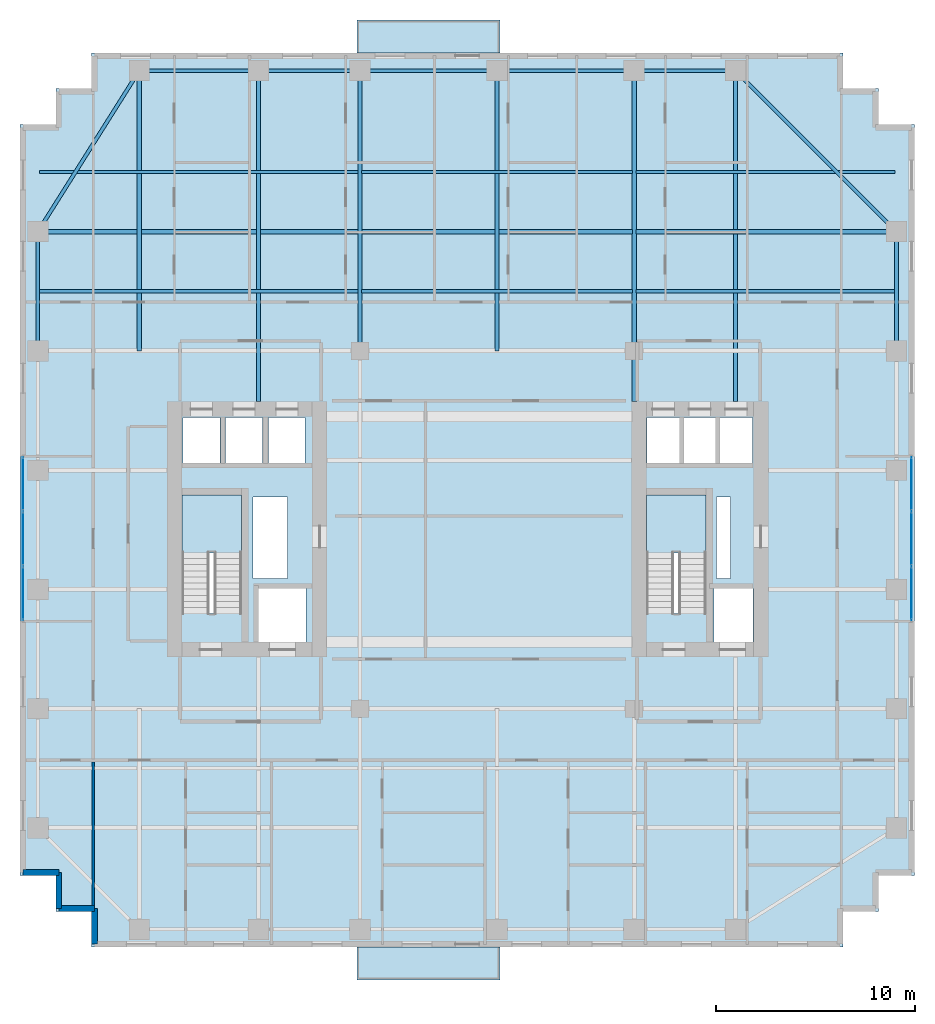
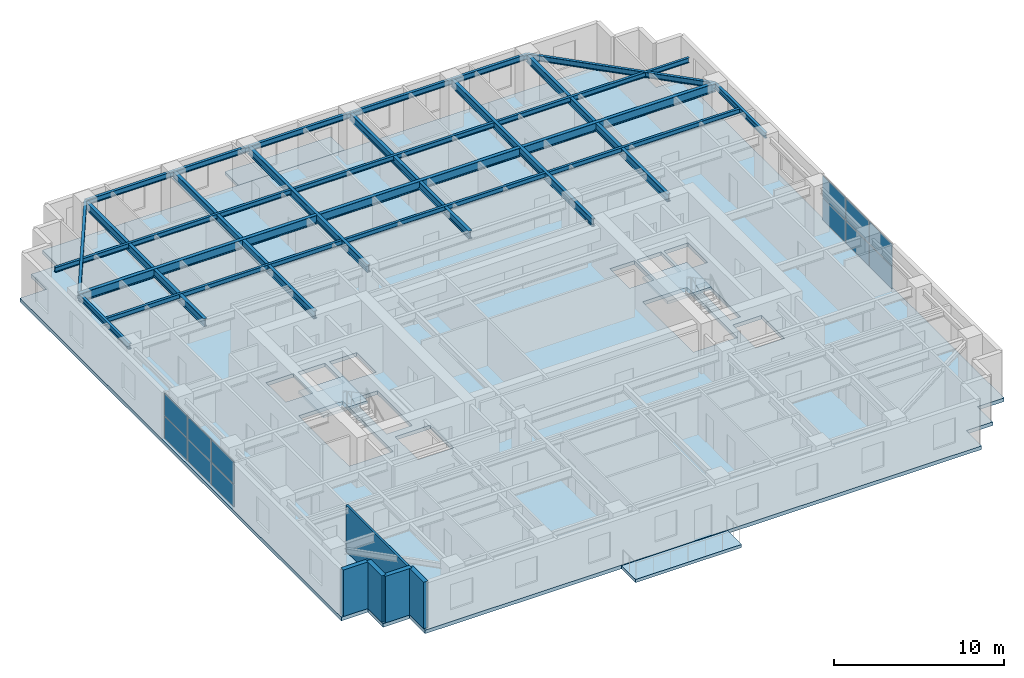
# One storey, part 7 of 15: 24 beams, 12 plates, 5 slabs, 5 walls, 4 elements without a shape of their own.
"""IFC4 building model written with IfcOpenShell, lengths in metres."""

from ifc_helpers import new_model, si_unit, direction, frame, frame_2d, origin, origin_2d, place, context, subcontext, project, spatial, polyline, rectangle, i_section, outline, extrude, source, transform, mapped, material, layer, layer_set, material_profile, profile_set, type_object, element, aggregate, save


model = new_model("IFC4")

# Units and contexts
model_context = context("Model", 3, precision=1e-05, world=origin(), true_north=direction((0.0, 1.0)))
body_context = subcontext(model_context, "Body", "Model", "MODEL_VIEW")
ifc_project = project(units=[si_unit("LENGTHUNIT", "METRE"), si_unit("AREAUNIT", "SQUARE_METRE"), si_unit("VOLUMEUNIT", "CUBIC_METRE"), si_unit("PLANEANGLEUNIT", "RADIAN"), si_unit("MASSUNIT", "GRAM", prefix="KILO")], contexts=[model_context])

# Site, building, storey
site_placement = place(None, origin())
site = spatial("IfcSite", under=ifc_project, at=site_placement, CompositionType="ELEMENT")
building_placement = place(site_placement, origin())
building = spatial("IfcBuilding", under=site, at=building_placement, Name="Khoralis Quay Care Tower", CompositionType="ELEMENT")
storey_placement = place(building_placement, frame((0.0, 0.0, 123.300048828125)))
storey = spatial("IfcBuildingStorey", under=building, at=storey_placement, Name="L32", CompositionType="ELEMENT", Elevation=123.300048828125)

# Beams
ifc_material_1 = material(Name="Steel S355", Category="steel")
ifc_material_profile_1 = material_profile(ifc_material_1, i_section(OverallWidth=0.179931640625, OverallDepth=0.39990234375, WebThickness=0.008544921875, FlangeThickness=0.013427734375, FilletRadius=0.02099609375, at=origin_2d()), Name="Steel S355")
ifc_profile_set_1 = profile_set([ifc_material_profile_1], Name="Steel S355")
beam_type_1 = type_object("IfcBeamType", Name="BM-IPE400", PredefinedType="SPANDREL", material=ifc_profile_set_1)
shared_shape_1 = source(origin(), body_context, "Body", "SweptSolid", [
    extrude(i_section(OverallWidth=0.179931640625, OverallDepth=0.39990234375, WebThickness=0.008544921875, FlangeThickness=0.013427734375, FilletRadius=0.02099609375, at=origin_2d()), origin(), (0.0, 0.0, 1.0), 6.0),
])
for number, where, z_axis, x_axis, name in (
    (1, (6.0, 44.10009765625, 3.139892578125), (1.0, 0.0, 0.0), (0.0, 1.0, 0.0), "BM-TSP-L32-06"),
    (2, (0.89990234375, 30.0, 3.139892578125), (0.0, 1.0, 0.0), (-1.0, 0.0, 0.0), "BM-TSP-L32-15"),
    (3, (44.10009765625, 30.0, 3.139892578125), (0.0, 1.0, 0.0), (-1.0, 0.0, 0.0), "BM-TSP-L32-20"),
):
    element("IfcBeam", number, at=place(storey_placement, frame(where, z_axis=z_axis, x_axis=x_axis)), inside=storey, type_object=beam_type_1, Name=name, PredefinedType="SPANDREL", context=body_context, shape_type="MappedRepresentation", body=[
        mapped(shared_shape_1, transform((0.0, 0.0, 0.0), scale=1.0)),
    ])
shared_shape_2 = source(origin(), body_context, "Body", "SweptSolid", [
    extrude(i_section(OverallWidth=0.179931640625, OverallDepth=0.39990234375, WebThickness=0.008544921875, FlangeThickness=0.013427734375, FilletRadius=0.02099609375, at=origin_2d()), origin(), (0.0, 0.0, 1.0), 5.10009765625),
])
for number, where, z_axis, x_axis, name in (
    (4, (12.0, 44.10009765625, 3.139892578125), (1.0, 0.0, 0.0), (0.0, 1.0, 0.0), "BM-TSP-L32-07"),
    (5, (30.89990234375, 44.10009765625, 3.139892578125), (1.0, 0.0, 0.0), (0.0, 1.0, 0.0), "BM-TSP-L32-10"),
):
    element("IfcBeam", number, at=place(storey_placement, frame(where, z_axis=z_axis, x_axis=x_axis)), inside=storey, type_object=beam_type_1, Name=name, PredefinedType="SPANDREL", context=body_context, shape_type="MappedRepresentation", body=[
        mapped(shared_shape_2, transform((0.0, 0.0, 0.0), scale=1.0)),
    ])
shared_shape_3 = source(origin(), body_context, "Body", "SweptSolid", [
    extrude(i_section(OverallWidth=0.179931640625, OverallDepth=0.39990234375, WebThickness=0.008544921875, FlangeThickness=0.013427734375, FilletRadius=0.02099609375, at=origin_2d()), origin(), (0.0, 0.0, 1.0), 6.89990234375),
])
for number, where, z_axis, x_axis, name in (
    (6, (17.10009765625, 44.10009765625, 3.139892578125), (1.0, 0.0, 0.0), (0.0, 1.0, 0.0), "BM-TSP-L32-08"),
    (7, (24.0, 44.10009765625, 3.139892578125), (1.0, 0.0, 0.0), (0.0, 1.0, 0.0), "BM-TSP-L32-09"),
):
    element("IfcBeam", number, at=place(storey_placement, frame(where, z_axis=z_axis, x_axis=x_axis)), inside=storey, type_object=beam_type_1, Name=name, PredefinedType="SPANDREL", context=body_context, shape_type="MappedRepresentation", body=[
        mapped(shared_shape_3, transform((0.0, 0.0, 0.0), scale=1.0)),
    ])
shared_shape_4 = source(origin(), body_context, "Body", "SweptSolid", [
    extrude(i_section(OverallWidth=0.179931640625, OverallDepth=0.39990234375, WebThickness=0.008544921875, FlangeThickness=0.013427734375, FilletRadius=0.02099609375, at=origin_2d()), origin(), (0.0, 0.0, 1.0), 9.572021484375),
])
beam_1_placement = place(storey_placement, frame((6.0, 44.10009765625, 3.139892578125), z_axis=(-0.532815975602, -0.846231136359, 0.0), x_axis=(0.846231136359, -0.532815975602, 0.0)))
element("IfcBeam", 8, at=beam_1_placement, inside=storey, type_object=beam_type_1, Name="BM-TCR-L32-23", PredefinedType="SPANDREL", context=body_context, shape_type="MappedRepresentation", body=[
    mapped(shared_shape_4, transform((0.0, 0.0, 0.0), scale=1.0)),
])
shared_shape_5 = source(origin(), body_context, "Body", "SweptSolid", [
    extrude(i_section(OverallWidth=0.179931640625, OverallDepth=0.39990234375, WebThickness=0.008544921875, FlangeThickness=0.013427734375, FilletRadius=0.02099609375, at=origin_2d()), origin(), (0.0, 0.0, 1.0), 11.455322265625),
])
beam_2_placement = place(storey_placement, frame((36.0, 44.10009765625, 3.139892578125), z_axis=(0.707106781187, -0.707106781187, 0.0), x_axis=(0.707106781187, 0.707106781187, 0.0)))
element("IfcBeam", 9, at=beam_2_placement, inside=storey, type_object=beam_type_1, Name="BM-TCR-L32-24", PredefinedType="SPANDREL", context=body_context, shape_type="MappedRepresentation", body=[
    mapped(shared_shape_5, transform((0.0, 0.0, 0.0), scale=1.0)),
])
ifc_material_profile_2 = material_profile(ifc_material_1, i_section(OverallWidth=0.22998046875, OverallDepth=0.616943359375, WebThickness=0.01318359375, FlangeThickness=0.022216796875, FilletRadius=0.01806640625, at=origin_2d()), Name="Steel S355")
ifc_profile_set_2 = profile_set([ifc_material_profile_2], Name="Steel S355")
beam_type_2 = type_object("IfcBeamType", Name="BM-W610X140", PredefinedType="BEAM", material=ifc_profile_set_2)
shared_shape_6 = source(origin(), body_context, "Body", "SweptSolid", [
    extrude(i_section(OverallWidth=0.22998046875, OverallDepth=0.616943359375, WebThickness=0.01318359375, FlangeThickness=0.022216796875, FilletRadius=0.01806640625, at=origin_2d()), origin(), (0.0, 0.0, 1.0), 16.106201171875),
])
beam_3_placement = place(storey_placement, frame((0.89990234375, 36.0, 3.031494140625), z_axis=(1.0, 0.0, 0.0), x_axis=(0.0, 1.0, 0.0)))
element("IfcBeam", 10, at=beam_3_placement, inside=storey, type_object=beam_type_2, Name="BM-TGXW-L32-360", PredefinedType="BEAM", context=body_context, shape_type="MappedRepresentation", body=[
    mapped(shared_shape_6, transform((0.0, 0.0, 0.0), scale=1.0)),
])
shared_shape_7 = source(origin(), body_context, "Body", "SweptSolid", [
    extrude(i_section(OverallWidth=0.22998046875, OverallDepth=0.616943359375, WebThickness=0.01318359375, FlangeThickness=0.022216796875, FilletRadius=0.01806640625, at=origin_2d()), origin(), (0.0, 0.0, 1.0), 13.106201171875),
])
beam_4_placement = place(storey_placement, frame((30.993896484375, 36.0, 3.031494140625), z_axis=(1.0, 0.0, 0.0), x_axis=(0.0, 1.0, 0.0)))
element("IfcBeam", 11, at=beam_4_placement, inside=storey, type_object=beam_type_2, Name="BM-TGXE-L32-360", PredefinedType="BEAM", context=body_context, shape_type="MappedRepresentation", body=[
    mapped(shared_shape_7, transform((0.0, 0.0, 0.0), scale=1.0)),
])
shared_shape_8 = source(origin(), body_context, "Body", "SweptSolid", [
    extrude(i_section(OverallWidth=0.22998046875, OverallDepth=0.616943359375, WebThickness=0.01318359375, FlangeThickness=0.022216796875, FilletRadius=0.01806640625, at=origin_2d()), origin(), (0.0, 0.0, 1.0), 13.61181640625),
])
beam_5_placement = place(storey_placement, frame((17.194091796875, 36.0, 3.031494140625), z_axis=(1.0, 0.0, 0.0), x_axis=(0.0, 1.0, 0.0)))
element("IfcBeam", 12, at=beam_5_placement, inside=storey, type_object=beam_type_2, Name="BM-TGCC-L32-360", PredefinedType="BEAM", context=body_context, shape_type="MappedRepresentation", body=[
    mapped(shared_shape_8, transform((0.0, 0.0, 0.0), scale=1.0)),
])
ifc_material_profile_3 = material_profile(ifc_material_1, i_section(OverallWidth=0.2119140625, OverallDepth=0.5439453125, WebThickness=0.01318359375, FlangeThickness=0.021240234375, FilletRadius=0.01611328125, at=origin_2d()), Name="Steel S355")
ifc_profile_set_3 = profile_set([ifc_material_profile_3], Name="Steel S355")
beam_type_3 = type_object("IfcBeamType", Name="BM-W530X123", PredefinedType="BEAM", material=ifc_profile_set_3)
shared_shape_9 = source(origin(), body_context, "Body", "SweptSolid", [
    extrude(i_section(OverallWidth=0.2119140625, OverallDepth=0.5439453125, WebThickness=0.01318359375, FlangeThickness=0.021240234375, FilletRadius=0.01611328125, at=origin_2d()), origin(), (0.0, 0.0, 1.0), 14.10009765625),
])
for number, where, z_axis, x_axis, name in (
    (13, (6.0, 30.0, 3.06787109375), (0.0, 1.0, 0.0), (-1.0, 0.0, 0.0), "BM-TGYN-L32-60"),
    (14, (17.10009765625, 30.0, 3.06787109375), (0.0, 1.0, 0.0), (-1.0, 0.0, 0.0), "BM-TGYN-L32-171"),
    (15, (24.0, 30.0, 3.06787109375), (0.0, 1.0, 0.0), (-1.0, 0.0, 0.0), "BM-TGYN-L32-240"),
):
    element("IfcBeam", number, at=place(storey_placement, frame(where, z_axis=z_axis, x_axis=x_axis)), inside=storey, type_object=beam_type_3, Name=name, PredefinedType="BEAM", context=body_context, shape_type="MappedRepresentation", body=[
        mapped(shared_shape_9, transform((0.0, 0.0, 0.0), scale=1.0)),
    ])
shared_shape_10 = source(origin(), body_context, "Body", "SweptSolid", [
    extrude(i_section(OverallWidth=0.2119140625, OverallDepth=0.5439453125, WebThickness=0.01318359375, FlangeThickness=0.021240234375, FilletRadius=0.01611328125, at=origin_2d()), origin(), (0.0, 0.0, 1.0), 16.652099609375),
])
for number, where, z_axis, x_axis, name in (
    (16, (12.0, 27.447998046875, 3.06787109375), (0.0, 1.0, 0.0), (-1.0, 0.0, 0.0), "BM-TGYN-L32-120"),
    (17, (30.89990234375, 27.447998046875, 3.06787109375), (0.0, 1.0, 0.0), (-1.0, 0.0, 0.0), "BM-TGYN-L32-309"),
    (18, (36.0, 27.447998046875, 3.06787109375), (0.0, 1.0, 0.0), (-1.0, 0.0, 0.0), "BM-TGYN-L32-360"),
):
    element("IfcBeam", number, at=place(storey_placement, frame(where, z_axis=z_axis, x_axis=x_axis)), inside=storey, type_object=beam_type_3, Name=name, PredefinedType="BEAM", context=body_context, shape_type="MappedRepresentation", body=[
        mapped(shared_shape_10, transform((0.0, 0.0, 0.0), scale=1.0)),
    ])
ifc_material_profile_4 = material_profile(ifc_material_1, i_section(OverallWidth=0.1708984375, OverallDepth=0.35498046875, WebThickness=0.007080078125, FlangeThickness=0.01171875, FilletRadius=0.012939453125, at=origin_2d()), Name="Steel S355")
ifc_profile_set_4 = profile_set([ifc_material_profile_4], Name="Steel S355")
beam_type_4 = type_object("IfcBeamType", Name="BM-W360X51", PredefinedType="JOIST", material=ifc_profile_set_4)
shared_shape_11 = source(origin(), body_context, "Body", "SweptSolid", [
    extrude(i_section(OverallWidth=0.1708984375, OverallDepth=0.35498046875, WebThickness=0.007080078125, FlangeThickness=0.01171875, FilletRadius=0.012939453125, at=origin_2d()), origin(), (0.0, 0.0, 1.0), 16.030029296875),
])
for number, where, z_axis, x_axis, name in (
    (19, (0.97607421875, 33.0, 3.162353515625), (1.0, 0.0, 0.0), (0.0, 1.0, 0.0), "BM-TJS-L32-28"),
    (20, (0.97607421875, 39.0, 3.162353515625), (1.0, 0.0, 0.0), (0.0, 1.0, 0.0), "BM-TJS-L32-31"),
):
    element("IfcBeam", number, at=place(storey_placement, frame(where, z_axis=z_axis, x_axis=x_axis)), inside=storey, type_object=beam_type_4, Name=name, PredefinedType="JOIST", context=body_context, shape_type="MappedRepresentation", body=[
        mapped(shared_shape_11, transform((0.0, 0.0, 0.0), scale=1.0)),
    ])
shared_shape_12 = source(origin(), body_context, "Body", "SweptSolid", [
    extrude(i_section(OverallWidth=0.1708984375, OverallDepth=0.35498046875, WebThickness=0.007080078125, FlangeThickness=0.01171875, FilletRadius=0.012939453125, at=origin_2d()), origin(), (0.0, 0.0, 1.0), 13.030029296875),
])
for number, where, z_axis, x_axis, name in (
    (21, (30.993896484375, 33.0, 3.162353515625), (1.0, 0.0, 0.0), (0.0, 1.0, 0.0), "BM-TJS-L32-29"),
    (22, (30.993896484375, 39.0, 3.162353515625), (1.0, 0.0, 0.0), (0.0, 1.0, 0.0), "BM-TJS-L32-32"),
):
    element("IfcBeam", number, at=place(storey_placement, frame(where, z_axis=z_axis, x_axis=x_axis)), inside=storey, type_object=beam_type_4, Name=name, PredefinedType="JOIST", context=body_context, shape_type="MappedRepresentation", body=[
        mapped(shared_shape_12, transform((0.0, 0.0, 0.0), scale=1.0)),
    ])
shared_shape_13 = source(origin(), body_context, "Body", "SweptSolid", [
    extrude(i_section(OverallWidth=0.1708984375, OverallDepth=0.35498046875, WebThickness=0.007080078125, FlangeThickness=0.01171875, FilletRadius=0.012939453125, at=origin_2d()), origin(), (0.0, 0.0, 1.0), 13.61181640625),
])
for number, where, z_axis, x_axis, name in (
    (23, (17.194091796875, 33.0, 3.162353515625), (1.0, 0.0, 0.0), (0.0, 1.0, 0.0), "BM-TJS-L32-30"),
    (24, (17.194091796875, 39.0, 3.162353515625), (1.0, 0.0, 0.0), (0.0, 1.0, 0.0), "BM-TJS-L32-33"),
):
    element("IfcBeam", number, at=place(storey_placement, frame(where, z_axis=z_axis, x_axis=x_axis)), inside=storey, type_object=beam_type_4, Name=name, PredefinedType="JOIST", context=body_context, shape_type="MappedRepresentation", body=[
        mapped(shared_shape_13, transform((0.0, 0.0, 0.0), scale=1.0)),
    ])

# Slabs
ifc_material_2 = material(Name="Concrete C45/55", Category="concrete")
ifc_layer_1 = layer(ifc_material_2, 0.219970703125)
ifc_layer_set_1 = layer_set([ifc_layer_1], Name="Concrete C45/55")
slab_type_1 = type_object("IfcSlabType", Name="SLB-EXT-BALC-220", PredefinedType="FLOOR", material=ifc_layer_set_1)
slab_1_placement = place(storey_placement, frame((0.0, 0.0, -0.260009765625)))
element("IfcSlab", 25, at=slab_1_placement, inside=storey, type_object=slab_type_1, Name="L32 Senior Loggia Balcony Slab P1E0", PredefinedType="FLOOR", context=body_context, shape_type="SweptSolid", body=[
    extrude(outline(polyline([(16.949951171875, -1.64990234375), (24.14990234375, -1.64990234375), (24.14990234375, 0.0), (16.949951171875, 0.0), (16.949951171875, -1.64990234375)])), origin(), (0.0, 0.0, 1.0), 0.219970703125),
])
slab_2_placement = place(storey_placement, frame((0.0, 0.0, -0.260009765625)))
element("IfcSlab", 26, at=slab_2_placement, inside=storey, type_object=slab_type_1, Name="L32 Senior Loggia Balcony Slab P1E10", PredefinedType="FLOOR", context=body_context, shape_type="SweptSolid", body=[
    extrude(outline(polyline([(16.949951171875, 45.0), (24.14990234375, 45.0), (24.14990234375, 46.64990234375), (16.949951171875, 46.64990234375), (16.949951171875, 45.0)])), origin(), (0.0, 0.0, 1.0), 0.219970703125),
])

# Stair, slab
ifc_material_3 = material(Name="Precast concrete C45/55", Category="concrete")
stair_type = type_object("IfcStairType", Name="ST-TWR-DOGLEG-1400", PredefinedType="HALF_TURN_STAIR", material=ifc_material_3)
stair_1_placement = place(storey_placement, origin())
stair_1 = element("IfcStair", 27, at=stair_1_placement, inside=storey, type_object=stair_type, Name="L32 West Core Exit Stair ST-T1", PredefinedType="HALF_TURN_STAIR")
ifc_layer_2 = layer(ifc_material_3, 0.199951171875)
ifc_layer_set_2 = layer_set([ifc_layer_2], Name="Precast concrete C45/55")
slab_type_2 = type_object("IfcSlabType", Name="SLB-LANDING-200", PredefinedType="LANDING", material=ifc_layer_set_2)
slab_3_placement = place(storey_placement, frame((0.0, 0.0, 1.599853515625)))
slab_3 = element("IfcSlab", 28, at=slab_3_placement, type_object=slab_type_2, Name="ST-T1 landing 1", PredefinedType="LANDING", context=body_context, shape_type="SweptSolid", body=[
    extrude(outline(polyline([(11.14990234375, 19.840087890625), (11.14990234375, 22.75), (8.14990234375, 22.75), (8.14990234375, 19.840087890625), (11.14990234375, 19.840087890625)])), origin(), (0.0, 0.0, 1.0), 0.2001953125),
])
aggregate(stair_1, [slab_3])

stair_2_placement = place(storey_placement, origin())
stair_2 = element("IfcStair", 29, at=stair_2_placement, inside=storey, type_object=stair_type, Name="L32 East Core Exit Stair ST-T2", PredefinedType="HALF_TURN_STAIR")
slab_4_placement = place(storey_placement, frame((0.0, 0.0, 1.599853515625)))
slab_4 = element("IfcSlab", 30, at=slab_4_placement, type_object=slab_type_2, Name="ST-T2 landing 1", PredefinedType="LANDING", context=body_context, shape_type="SweptSolid", body=[
    extrude(outline(polyline([(34.52001953125, 19.840087890625), (34.52001953125, 22.75), (31.52001953125, 22.75), (31.52001953125, 19.840087890625), (34.52001953125, 19.840087890625)])), origin(), (0.0, 0.0, 1.0), 0.2001953125),
])
aggregate(stair_2, [slab_4])

# Slab
ifc_material_4 = material(Name="Concrete C40/50", Category="concrete")
ifc_layer_3 = layer(ifc_material_4, 0.260009765625)
ifc_layer_set_3 = layer_set([ifc_layer_3], Name="Concrete C40/50")
slab_type_3 = type_object("IfcSlabType", Name="SLB-TWR-260", PredefinedType="FLOOR", material=ifc_layer_set_3)
slab_5_placement = place(storey_placement, frame((0.0, 0.0, -0.260009765625)))
element("IfcSlab", 31, at=slab_5_placement, inside=storey, type_object=slab_type_3, Name="Tower Floor Slab L32", PredefinedType="FLOOR", context=body_context, shape_type="SweptSolid", body=[
    extrude(outline(polyline([(3.60009765625, 0.0), (41.39990234375, 0.0), (41.39990234375, 1.800048828125), (43.199951171875, 1.800048828125), (43.199951171875, 3.60009765625), (45.0, 3.60009765625), (45.0, 41.39990234375), (43.199951171875, 41.39990234375), (43.199951171875, 43.199951171875), (41.39990234375, 43.199951171875), (41.39990234375, 45.0), (3.60009765625, 45.0), (3.60009765625, 43.199951171875), (1.800048828125, 43.199951171875), (1.800048828125, 41.39990234375), (0.0, 41.39990234375), (0.0, 3.60009765625), (1.800048828125, 3.60009765625), (1.800048828125, 1.800048828125), (3.60009765625, 1.800048828125), (3.60009765625, 0.0)]), holes=[polyline([(11.14990234375, 16.800048828125), (11.14990234375, 22.75), (8.14990234375, 22.75), (8.14990234375, 16.800048828125), (11.14990234375, 16.800048828125)]), polyline([(34.52001953125, 16.800048828125), (34.52001953125, 22.75), (31.52001953125, 22.75), (31.52001953125, 16.800048828125), (34.52001953125, 16.800048828125)]), polyline([(12.0, 15.35009765625), (14.39990234375, 15.35009765625), (14.39990234375, 18.050048828125), (12.0, 18.050048828125), (12.0, 15.35009765625)]), polyline([(34.919921875, 15.35009765625), (36.8798828125, 15.35009765625), (36.8798828125, 18.050048828125), (34.919921875, 18.050048828125), (34.919921875, 15.35009765625)]), polyline([(8.199951171875, 24.35009765625), (10.050048828125, 24.35009765625), (10.050048828125, 26.64990234375), (8.199951171875, 26.64990234375), (8.199951171875, 24.35009765625)]), polyline([(31.550048828125, 24.35009765625), (33.199951171875, 24.35009765625), (33.199951171875, 26.64990234375), (31.550048828125, 26.64990234375), (31.550048828125, 24.35009765625)]), polyline([(10.35009765625, 24.35009765625), (12.199951171875, 24.35009765625), (12.199951171875, 26.64990234375), (10.35009765625, 26.64990234375), (10.35009765625, 24.35009765625)]), polyline([(33.3798828125, 24.35009765625), (35.030029296875, 24.35009765625), (35.030029296875, 26.64990234375), (33.3798828125, 26.64990234375), (33.3798828125, 24.35009765625)]), polyline([(12.5, 24.35009765625), (14.35009765625, 24.35009765625), (14.35009765625, 26.64990234375), (12.5, 26.64990234375), (12.5, 24.35009765625)]), polyline([(35.199951171875, 24.35009765625), (36.85009765625, 24.35009765625), (36.85009765625, 26.64990234375), (35.199951171875, 26.64990234375), (35.199951171875, 24.35009765625)]), polyline([(11.719970703125, 18.550048828125), (13.449951171875, 18.550048828125), (13.449951171875, 22.64990234375), (11.719970703125, 22.64990234375), (11.719970703125, 18.550048828125)]), polyline([(35.050048828125, 18.550048828125), (35.75, 18.550048828125), (35.75, 22.64990234375), (35.050048828125, 22.64990234375), (35.050048828125, 18.550048828125)])]), origin(), (0.0, 0.0, 1.0), 0.260009765625),
])

# Curtain wall, plates
ifc_material_5 = material(Name="Pale anodised aluminium", Category="aluminium")
ifc_layer_4 = layer(ifc_material_5, 0.169921875)
ifc_layer_set_4 = layer_set([ifc_layer_4], Name="Pale anodised aluminium")
curtain_wall_type = type_object("IfcCurtainWallType", Name="CW-SYS-Z2", PredefinedType="NOTDEFINED", material=ifc_layer_set_4)
curtain_wall_1_placement = place(storey_placement, origin())
curtain_wall_1 = element("IfcCurtainWall", 32, at=curtain_wall_1_placement, inside=storey, type_object=curtain_wall_type, Name="L32 Unitised Curtain Wall CW-L32-P1-E5", PredefinedType="NOTDEFINED")
ifc_material_6 = material(Name="Low-E solar-control double glazing", Category="glass")
ifc_layer_5 = layer(ifc_material_6, 0.031982421875)
ifc_layer_set_5 = layer_set([ifc_layer_5], Name="Low-E solar-control double glazing")
plate_type = type_object("IfcPlateType", Name="PNL-VIS-32", PredefinedType="CURTAIN_PANEL", material=ifc_layer_set_5)
shared_shape_14 = source(origin(), body_context, "Body", "SweptSolid", [
    extrude(rectangle(XDim=2.6767578125, YDim=0.028076171875, at=origin_2d()), origin(), (0.0, 0.0, 1.0), 1.580078125),
])
plate_1_placement = place(storey_placement, frame((44.85009765625, 17.79833984375, 0.059814453125), z_axis=(0.0, 0.0, 1.0), x_axis=(0.0, 1.0, 0.0)))
plate_1 = element("IfcPlate", 33, at=plate_1_placement, type_object=plate_type, Name="CW2 panel 1.1", PredefinedType="CURTAIN_PANEL", context=body_context, shape_type="MappedRepresentation", body=[
    mapped(shared_shape_14, transform((0.0, 0.0, 0.0), scale=1.0)),
])
plate_2_placement = place(storey_placement, frame((44.85009765625, 17.79833984375, 1.699951171875), z_axis=(0.0, 0.0, 1.0), x_axis=(0.0, 1.0, 0.0)))
plate_2 = element("IfcPlate", 34, at=plate_2_placement, type_object=plate_type, Name="CW2 panel 1.2", PredefinedType="CURTAIN_PANEL", context=body_context, shape_type="MappedRepresentation", body=[
    mapped(shared_shape_14, transform((0.0, 0.0, 0.0), scale=1.0)),
])
plate_3_placement = place(storey_placement, frame((44.85009765625, 23.3017578125, 0.059814453125), z_axis=(0.0, 0.0, 1.0), x_axis=(0.0, 1.0, 0.0)))
plate_3 = element("IfcPlate", 35, at=plate_3_placement, type_object=plate_type, Name="CW2 panel 3.1", PredefinedType="CURTAIN_PANEL", context=body_context, shape_type="MappedRepresentation", body=[
    mapped(shared_shape_14, transform((0.0, 0.0, 0.0), scale=1.0)),
])
plate_4_placement = place(storey_placement, frame((44.85009765625, 23.3017578125, 1.699951171875), z_axis=(0.0, 0.0, 1.0), x_axis=(0.0, 1.0, 0.0)))
plate_4 = element("IfcPlate", 36, at=plate_4_placement, type_object=plate_type, Name="CW2 panel 3.2", PredefinedType="CURTAIN_PANEL", context=body_context, shape_type="MappedRepresentation", body=[
    mapped(shared_shape_14, transform((0.0, 0.0, 0.0), scale=1.0)),
])

curtain_wall_2_placement = place(storey_placement, origin())
curtain_wall_2 = element("IfcCurtainWall", 37, at=curtain_wall_2_placement, inside=storey, type_object=curtain_wall_type, Name="L32 Unitised Curtain Wall CW-L32-P1-E15", PredefinedType="NOTDEFINED")
plate_5_placement = place(storey_placement, frame((0.14990234375, 23.3017578125, 0.059814453125), z_axis=(0.0, 0.0, 1.0), x_axis=(0.0, -1.0, 0.0)))
plate_5 = element("IfcPlate", 38, at=plate_5_placement, type_object=plate_type, Name="CW2 panel 1.1", PredefinedType="CURTAIN_PANEL", context=body_context, shape_type="MappedRepresentation", body=[
    mapped(shared_shape_14, transform((0.0, 0.0, 0.0), scale=1.0)),
])
plate_6_placement = place(storey_placement, frame((0.14990234375, 23.3017578125, 1.699951171875), z_axis=(0.0, 0.0, 1.0), x_axis=(0.0, -1.0, 0.0)))
plate_6 = element("IfcPlate", 39, at=plate_6_placement, type_object=plate_type, Name="CW2 panel 1.2", PredefinedType="CURTAIN_PANEL", context=body_context, shape_type="MappedRepresentation", body=[
    mapped(shared_shape_14, transform((0.0, 0.0, 0.0), scale=1.0)),
])
plate_7_placement = place(storey_placement, frame((0.14990234375, 17.79833984375, 0.059814453125), z_axis=(0.0, 0.0, 1.0), x_axis=(0.0, -1.0, 0.0)))
plate_7 = element("IfcPlate", 40, at=plate_7_placement, type_object=plate_type, Name="CW2 panel 3.1", PredefinedType="CURTAIN_PANEL", context=body_context, shape_type="MappedRepresentation", body=[
    mapped(shared_shape_14, transform((0.0, 0.0, 0.0), scale=1.0)),
])
plate_8_placement = place(storey_placement, frame((0.14990234375, 17.79833984375, 1.699951171875), z_axis=(0.0, 0.0, 1.0), x_axis=(0.0, -1.0, 0.0)))
plate_8 = element("IfcPlate", 41, at=plate_8_placement, type_object=plate_type, Name="CW2 panel 3.2", PredefinedType="CURTAIN_PANEL", context=body_context, shape_type="MappedRepresentation", body=[
    mapped(shared_shape_14, transform((0.0, 0.0, 0.0), scale=1.0)),
])

# Plate
shared_shape_15 = source(origin(), body_context, "Body", "SweptSolid", [
    extrude(rectangle(XDim=2.706787109375, YDim=0.028076171875, at=origin_2d()), origin(), (0.0, 0.0, 1.0), 1.580078125),
])
plate_9_placement = place(storey_placement, frame((44.85009765625, 20.550048828125, 0.059814453125), z_axis=(0.0, 0.0, 1.0), x_axis=(0.0, 1.0, 0.0)))
plate_9 = element("IfcPlate", 42, at=plate_9_placement, type_object=plate_type, Name="CW2 panel 2.1", PredefinedType="CURTAIN_PANEL", context=body_context, shape_type="MappedRepresentation", body=[
    mapped(shared_shape_15, transform((0.0, 0.0, 0.0), scale=1.0)),
])

plate_10_placement = place(storey_placement, frame((44.85009765625, 20.550048828125, 1.699951171875), z_axis=(0.0, 0.0, 1.0), x_axis=(0.0, 1.0, 0.0)))
plate_10 = element("IfcPlate", 43, at=plate_10_placement, type_object=plate_type, Name="CW2 panel 2.2", PredefinedType="CURTAIN_PANEL", context=body_context, shape_type="MappedRepresentation", body=[
    mapped(shared_shape_15, transform((0.0, 0.0, 0.0), scale=1.0)),
])

aggregate(curtain_wall_1, [plate_1, plate_2, plate_9, plate_10, plate_3, plate_4])

plate_11_placement = place(storey_placement, frame((0.14990234375, 20.550048828125, 0.059814453125), z_axis=(0.0, 0.0, 1.0), x_axis=(0.0, -1.0, 0.0)))
plate_11 = element("IfcPlate", 44, at=plate_11_placement, type_object=plate_type, Name="CW2 panel 2.1", PredefinedType="CURTAIN_PANEL", context=body_context, shape_type="MappedRepresentation", body=[
    mapped(shared_shape_15, transform((0.0, 0.0, 0.0), scale=1.0)),
])

plate_12_placement = place(storey_placement, frame((0.14990234375, 20.550048828125, 1.699951171875), z_axis=(0.0, 0.0, 1.0), x_axis=(0.0, -1.0, 0.0)))
plate_12 = element("IfcPlate", 45, at=plate_12_placement, type_object=plate_type, Name="CW2 panel 2.2", PredefinedType="CURTAIN_PANEL", context=body_context, shape_type="MappedRepresentation", body=[
    mapped(shared_shape_15, transform((0.0, 0.0, 0.0), scale=1.0)),
])

aggregate(curtain_wall_2, [plate_5, plate_6, plate_11, plate_12, plate_7, plate_8])

# Walls
ifc_layer_6 = layer(ifc_material_3, 0.300048828125)
ifc_layer_set_6 = layer_set([ifc_layer_6], Name="Precast concrete C45/55")
wall_type_1 = type_object("IfcWallType", Name="WL-EXT-REF-300", PredefinedType="SOLIDWALL", material=ifc_layer_set_6)
for number, where, z_axis, x_axis, name in (
    (46, (0.14990234375, 3.75, 0.0), (0.0, 0.0, 1.0), (1.0, 0.0, 0.0), "L32 External Facade Wall WL-EXT-L32-P1-C16"),
    (47, (1.949951171875, 3.75, 0.0), (0.0, 0.0, 1.0), (0.0, -1.0, 0.0), "L32 External Facade Wall WL-EXT-L32-P1-C17"),
    (48, (1.949951171875, 1.949951171875, 0.0), (0.0, 0.0, 1.0), (1.0, 0.0, 0.0), "L32 External Facade Wall WL-EXT-L32-P1-C18"),
    (49, (3.75, 1.949951171875, 0.0), (0.0, 0.0, 1.0), (0.0, -1.0, 0.0), "L32 External Facade Wall WL-EXT-L32-P1-C19"),
):
    element("IfcWall", number, at=place(storey_placement, frame(where, z_axis=z_axis, x_axis=x_axis)), inside=storey, type_object=wall_type_1, Name=name, PredefinedType="SOLIDWALL", context=body_context, shape_type="SweptSolid", body=[
        extrude(rectangle(XDim=1.800048828125, YDim=0.300048828125, at=frame_2d((0.89990234375, 0.0))), origin(), (0.0, 0.0, 1.0), 3.33984375),
    ])
ifc_material_7 = material(Name="Gypsum plasterboard on acoustic metal stud")
ifc_layer_7 = layer(ifc_material_7, 0.139892578125)
ifc_layer_set_7 = layer_set([ifc_layer_7], Name="Gypsum plasterboard on acoustic metal stud")
wall_type_2 = type_object("IfcWallType", Name="WL-UNIT-140", PredefinedType="PARTITIONING", material=ifc_layer_set_7)
wall_placement = place(storey_placement, frame((3.679931640625, 1.945068359375, 0.0), z_axis=(0.0, 0.0, 1.0), x_axis=(0.0, 1.0, 0.0)))
element("IfcWall", 50, at=wall_placement, inside=storey, type_object=wall_type_2, Name="L32 SB Demising Wall 0", PredefinedType="PARTITIONING", context=body_context, shape_type="SweptSolid", body=[
    extrude(rectangle(XDim=7.37744140625, YDim=0.139892578125, at=frame_2d((3.688720703125, 0.0))), origin(), (0.0, 0.0, 1.0), 3.33984375),
])

save(model, "model.ifc")
